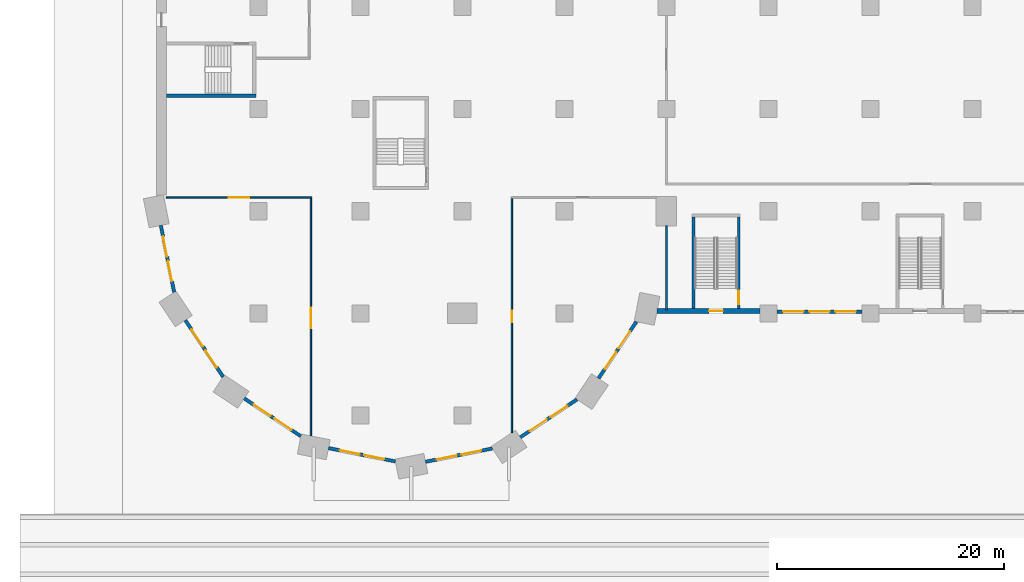
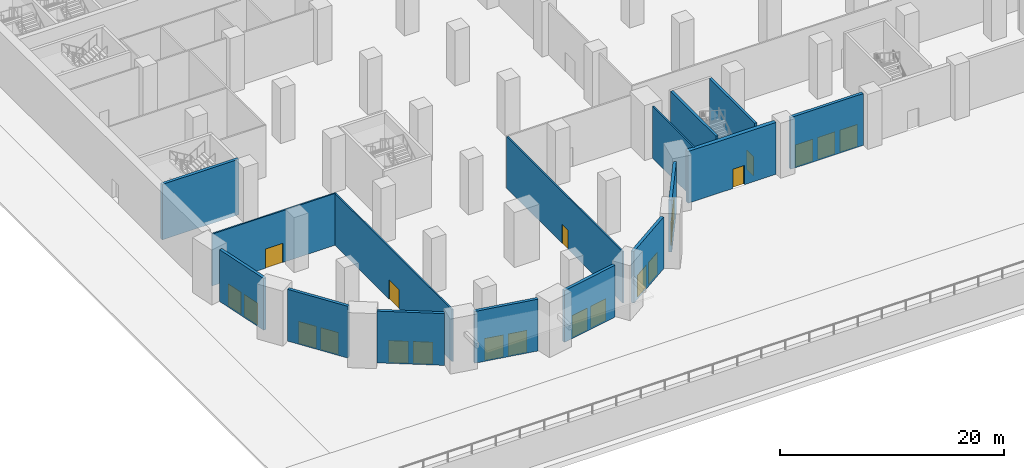
# One storey, part 13 of 47: 22 doors, 16 walls, 22 openings.
"""IFC4 building model written with IfcOpenShell, lengths in metres."""

from ifc_helpers import new_model, si_unit, direction, frame, frame_2d, origin, place, context, subcontext, project, spatial, rectangle, extrude, material, layer, layer_set, type_object, element, fill, save


model = new_model("IFC4")

# Units and contexts
model_context = context("Model", 3, precision=1e-05, world=origin(), true_north=direction((0.0, 1.0)))
body_context = subcontext(model_context, "Body", "Model", "MODEL_VIEW")
ifc_project = project(units=[si_unit("LENGTHUNIT", "METRE"), si_unit("AREAUNIT", "SQUARE_METRE"), si_unit("VOLUMEUNIT", "CUBIC_METRE"), si_unit("PLANEANGLEUNIT", "RADIAN"), si_unit("MASSUNIT", "GRAM", prefix="KILO")], contexts=[model_context])

# Site, building, storey
site_placement = place(None, origin())
site = spatial("IfcSite", under=ifc_project, at=site_placement, CompositionType="ELEMENT")
building_placement = place(site_placement, origin())
building = spatial("IfcBuilding", under=site, at=building_placement, Name="Hunhe Ridgeline Campus", CompositionType="ELEMENT")
storey_placement = place(building_placement, origin())
storey = spatial("IfcBuildingStorey", under=building, at=storey_placement, Name="L00", CompositionType="ELEMENT", Elevation=0.0)

# Wall, opening, door
ifc_material_1 = material(Name="Plastered blockwork", Category="masonry")
ifc_layer_1 = layer(ifc_material_1, 0.14990234375)
ifc_layer_set_1 = layer_set([ifc_layer_1], Name="Blockwork partition 150")
wall_type_1 = type_object("IfcWallType", Name="Blockwork partition 150", PredefinedType="PARTITIONING", material=ifc_layer_set_1)
wall_1_placement = place(storey_placement, frame((0.89990234375, 28.199951171875, 0.0), z_axis=(0.0, 0.0, 1.0), x_axis=(1.0, 0.0, 0.0)))
wall_1 = element("IfcWall", 1, at=wall_1_placement, inside=storey, type_object=wall_type_1, Name="L00 partition", PredefinedType="PARTITIONING", context=body_context, shape_type="SweptSolid", body=[
    extrude(rectangle(XDim=12.81103515625, YDim=0.14990234375, at=frame_2d((6.405517578125, 0.0))), origin(), (0.0, 0.0, 1.0), 5.64990234375),
])
opening_1_placement = place(wall_1_placement, frame((5.5, 0.0, 0.0)))
opening_1 = element("IfcOpeningElement", 2, at=opening_1_placement, cuts=wall_1, Name="Opening PD142", PredefinedType="OPENING", context=body_context, shape_type="SweptSolid", body=[
    extrude(rectangle(XDim=1.800048828125, YDim=2.10009765625, at=frame_2d((0.89990234375, 1.050048828125))), frame((0.0, 0.074951171875, 0.0), z_axis=(0.0, -1.0, 0.0), x_axis=(1.0, 0.0, 0.0)), (0.0, 0.0, 1.0), 0.14990234375),
])
ifc_material_2 = material(Name="Timber", Category="wood")
door_type_1 = type_object("IfcDoorType", Name="Podium timber double door 1800x2100", OperationType="NOTDEFINED", PredefinedType="DOOR", material=ifc_material_2)
door_1_placement = place(opening_1_placement, origin())
door_1 = element("IfcDoor", 3, at=door_1_placement, inside=storey, type_object=door_type_1, Name="Student Cafe door", OperationType="DOUBLE_DOOR_SINGLE_SWING", OverallHeight=2.10009765625, OverallWidth=1.800048828125, PredefinedType="DOOR", context=body_context, shape_type="SweptSolid", body=[
    extrude(rectangle(XDim=1.800048828125, YDim=2.10009765625, at=frame_2d((0.89990234375, 1.050048828125))), frame((0.0, 0.02490234375, 0.0), z_axis=(0.0, -1.0, 0.0), x_axis=(1.0, 0.0, 0.0)), (0.0, 0.0, 1.0), 0.050048828125),
])
fill(opening_1, door_1)

wall_2_placement = place(storey_placement, frame((13.635986328125, 28.125, 0.0), z_axis=(0.0, 0.0, 1.0), x_axis=(0.0, -1.0, 0.0)))
wall_2 = element("IfcWall", 4, at=wall_2_placement, inside=storey, type_object=wall_type_1, Name="L00 partition", PredefinedType="PARTITIONING", context=body_context, shape_type="SweptSolid", body=[
    extrude(rectangle(XDim=20.944091796875, YDim=0.14990234375, at=frame_2d((10.47216796875, 0.0))), origin(), (0.0, 0.0, 1.0), 5.64990234375),
])
opening_2_placement = place(wall_2_placement, frame((9.644287109375, 0.0, 0.0)))
opening_2 = element("IfcOpeningElement", 5, at=opening_2_placement, cuts=wall_2, Name="Opening PD141", PredefinedType="OPENING", context=body_context, shape_type="SweptSolid", body=[
    extrude(rectangle(XDim=1.800048828125, YDim=2.10009765625, at=frame_2d((0.89990234375, 1.050048828125))), frame((0.0, 0.074951171875, 0.0), z_axis=(0.0, -1.0, 0.0), x_axis=(1.0, 0.0, 0.0)), (0.0, 0.0, 1.0), 0.14990234375),
])
door_2_placement = place(opening_2_placement, origin())
door_2 = element("IfcDoor", 6, at=door_2_placement, inside=storey, type_object=door_type_1, Name="Student Cafe door", OperationType="DOUBLE_DOOR_SINGLE_SWING", OverallHeight=2.10009765625, OverallWidth=1.800048828125, PredefinedType="DOOR", context=body_context, shape_type="SweptSolid", body=[
    extrude(rectangle(XDim=1.800048828125, YDim=2.10009765625, at=frame_2d((0.89990234375, 1.050048828125))), frame((0.0, 0.02490234375, 0.0), z_axis=(0.0, -1.0, 0.0), x_axis=(1.0, 0.0, 0.0)), (0.0, 0.0, 1.0), 0.050048828125),
])
fill(opening_2, door_2)

wall_3_placement = place(storey_placement, frame((31.364013671875, 7.464599609375, 0.0), z_axis=(0.0, 0.0, 1.0), x_axis=(0.0, 1.0, 0.0)))
wall_3 = element("IfcWall", 7, at=wall_3_placement, inside=storey, type_object=wall_type_1, Name="L00 partition", PredefinedType="PARTITIONING", context=body_context, shape_type="SweptSolid", body=[
    extrude(rectangle(XDim=20.660400390625, YDim=0.14990234375, at=frame_2d((10.330078125, 0.0))), origin(), (0.0, 0.0, 1.0), 5.64990234375),
])
opening_3_placement = place(wall_3_placement, frame((9.75, 0.0, 0.0)))
opening_3 = element("IfcOpeningElement", 8, at=opening_3_placement, cuts=wall_3, Name="Opening PD143", PredefinedType="OPENING", context=body_context, shape_type="SweptSolid", body=[
    extrude(rectangle(XDim=1.0, YDim=2.10009765625, at=frame_2d((0.5, 1.050048828125))), frame((0.0, 0.074951171875, 0.0), z_axis=(0.0, -1.0, 0.0), x_axis=(1.0, 0.0, 0.0)), (0.0, 0.0, 1.0), 0.14990234375),
])
door_type_2 = type_object("IfcDoorType", Name="Podium timber door 1000x2100", OperationType="NOTDEFINED", PredefinedType="DOOR", material=ifc_material_2)
door_3_placement = place(opening_3_placement, origin())
door_3 = element("IfcDoor", 9, at=door_3_placement, inside=storey, type_object=door_type_2, Name="Bookshop door", OperationType="SINGLE_SWING_LEFT", OverallHeight=2.10009765625, OverallWidth=1.0, PredefinedType="DOOR", context=body_context, shape_type="SweptSolid", body=[
    extrude(rectangle(XDim=1.0, YDim=2.10009765625, at=frame_2d((0.5, 1.050048828125))), frame((0.0, 0.02490234375, 0.0), z_axis=(0.0, -1.0, 0.0), x_axis=(1.0, 0.0, 0.0)), (0.0, 0.0, 1.0), 0.050048828125),
])
fill(opening_3, door_3)

# Wall
wall_4_placement = place(storey_placement, frame((45.0, 25.699951171875, 0.0), z_axis=(0.0, 0.0, 1.0), x_axis=(0.0, -1.0, 0.0)))
element("IfcWall", 10, at=wall_4_placement, inside=storey, type_object=wall_type_1, Name="L00 partition", PredefinedType="PARTITIONING", context=body_context, shape_type="SweptSolid", body=[
    extrude(rectangle(XDim=7.39990234375, YDim=0.14990234375, at=frame_2d((3.699951171875, 0.0))), origin(), (0.0, 0.0, 1.0), 5.64990234375),
])

# Wall, openings, doors
ifc_material_3 = material(Name="Concrete C40", Category="concrete")
ifc_layer_2 = layer(ifc_material_3, 0.300048828125)
ifc_layer_set_2 = layer_set([ifc_layer_2], Name="External concrete wall 300 C40")
wall_type_2 = type_object("IfcWallType", Name="External concrete wall 300 C40", PredefinedType="SOLIDWALL", material=ifc_layer_set_2)
wall_5_placement = place(storey_placement, frame((1.5732421875, 19.85986328125, 0.0), z_axis=(0.0, 0.0, 1.0), x_axis=(-0.195116062951, 0.980780159862, 0.0)))
wall_5 = element("IfcWall", 11, at=wall_5_placement, inside=storey, type_object=wall_type_2, Name="L00 entrance wall", PredefinedType="SOLIDWALL", context=body_context, shape_type="SweptSolid", body=[
    extrude(rectangle(XDim=6.009765625, YDim=0.300048828125, at=frame_2d((3.0048828125, 0.0))), origin(), (0.0, 0.0, 1.0), 5.64990234375),
])
opening_4_placement = place(wall_5_placement, frame((1.0048828125, 0.0, 0.0)))
opening_4 = element("IfcOpeningElement", 12, at=opening_4_placement, cuts=wall_5, Name="Opening XD4", PredefinedType="OPENING", context=body_context, shape_type="SweptSolid", body=[
    extrude(rectangle(XDim=1.800048828125, YDim=2.39990234375, at=frame_2d((0.89990234375, 1.199951171875))), frame((0.0, 0.14990234375, 0.0), z_axis=(0.0, -1.0, 0.0), x_axis=(1.0, 0.0, 0.0)), (0.0, 0.0, 1.0), 0.300048828125),
])
opening_5_placement = place(wall_5_placement, frame((3.204833984375, 0.0, 0.0)))
opening_5 = element("IfcOpeningElement", 13, at=opening_5_placement, cuts=wall_5, Name="Opening XD5", PredefinedType="OPENING", context=body_context, shape_type="SweptSolid", body=[
    extrude(rectangle(XDim=1.800048828125, YDim=2.39990234375, at=frame_2d((0.89990234375, 1.199951171875))), frame((0.0, 0.14990234375, 0.0), z_axis=(0.0, -1.0, 0.0), x_axis=(1.0, 0.0, 0.0)), (0.0, 0.0, 1.0), 0.300048828125),
])
ifc_material_4 = material(Name="Aluminium and glass", Category="aluminium")
door_type_3 = type_object("IfcDoorType", Name="Podium glazed entrance door 1800x2400", OperationType="NOTDEFINED", PredefinedType="DOOR", material=ifc_material_4)
door_4_placement = place(opening_4_placement, origin())
door_4 = element("IfcDoor", 14, at=door_4_placement, inside=storey, type_object=door_type_3, Name="Entrance door XD4", OperationType="DOUBLE_DOOR_SINGLE_SWING", OverallHeight=2.39990234375, OverallWidth=1.800048828125, PredefinedType="DOOR", context=body_context, shape_type="SweptSolid", body=[
    extrude(rectangle(XDim=1.800048828125, YDim=2.39990234375, at=frame_2d((0.89990234375, 1.199951171875))), frame((0.0, 0.02490234375, 0.0), z_axis=(0.0, -1.0, 0.0), x_axis=(1.0, 0.0, 0.0)), (0.0, 0.0, 1.0), 0.050048828125),
])
fill(opening_4, door_4)
door_5_placement = place(opening_5_placement, origin())
door_5 = element("IfcDoor", 15, at=door_5_placement, inside=storey, type_object=door_type_3, Name="Entrance door XD5", OperationType="DOUBLE_DOOR_SINGLE_SWING", OverallHeight=2.39990234375, OverallWidth=1.800048828125, PredefinedType="DOOR", context=body_context, shape_type="SweptSolid", body=[
    extrude(rectangle(XDim=1.800048828125, YDim=2.39990234375, at=frame_2d((0.89990234375, 1.199951171875))), frame((0.0, 0.02490234375, 0.0), z_axis=(0.0, -1.0, 0.0), x_axis=(1.0, 0.0, 0.0)), (0.0, 0.0, 1.0), 0.050048828125),
])
fill(opening_5, door_5)

wall_6_placement = place(storey_placement, frame((5.898681640625, 12.39501953125, 0.0), z_axis=(0.0, 0.0, 1.0), x_axis=(-0.555562359202, 0.831474873365, 0.0)))
wall_6 = element("IfcWall", 16, at=wall_6_placement, inside=storey, type_object=wall_type_2, Name="L00 entrance wall", PredefinedType="SOLIDWALL", context=body_context, shape_type="SweptSolid", body=[
    extrude(rectangle(XDim=6.009765625, YDim=0.300048828125, at=frame_2d((3.0048828125, 0.0))), origin(), (0.0, 0.0, 1.0), 5.64990234375),
])
opening_6_placement = place(wall_6_placement, frame((1.0048828125, 0.0, 0.0)))
opening_6 = element("IfcOpeningElement", 17, at=opening_6_placement, cuts=wall_6, Name="Opening XD6", PredefinedType="OPENING", context=body_context, shape_type="SweptSolid", body=[
    extrude(rectangle(XDim=1.800048828125, YDim=2.39990234375, at=frame_2d((0.89990234375, 1.199951171875))), frame((0.0, 0.14990234375, 0.0), z_axis=(0.0, -1.0, 0.0), x_axis=(1.0, 0.0, 0.0)), (0.0, 0.0, 1.0), 0.300048828125),
])
opening_7_placement = place(wall_6_placement, frame((3.204833984375, 0.0, 0.0)))
opening_7 = element("IfcOpeningElement", 18, at=opening_7_placement, cuts=wall_6, Name="Opening XD7", PredefinedType="OPENING", context=body_context, shape_type="SweptSolid", body=[
    extrude(rectangle(XDim=1.800048828125, YDim=2.39990234375, at=frame_2d((0.89990234375, 1.199951171875))), frame((0.0, 0.14990234375, 0.0), z_axis=(0.0, -1.0, 0.0), x_axis=(1.0, 0.0, 0.0)), (0.0, 0.0, 1.0), 0.300048828125),
])
door_6_placement = place(opening_6_placement, origin())
door_6 = element("IfcDoor", 19, at=door_6_placement, inside=storey, type_object=door_type_3, Name="Entrance door XD6", OperationType="DOUBLE_DOOR_SINGLE_SWING", OverallHeight=2.39990234375, OverallWidth=1.800048828125, PredefinedType="DOOR", context=body_context, shape_type="SweptSolid", body=[
    extrude(rectangle(XDim=1.800048828125, YDim=2.39990234375, at=frame_2d((0.89990234375, 1.199951171875))), frame((0.0, 0.02490234375, 0.0), z_axis=(0.0, -1.0, 0.0), x_axis=(1.0, 0.0, 0.0)), (0.0, 0.0, 1.0), 0.050048828125),
])
fill(opening_6, door_6)
door_7_placement = place(opening_7_placement, origin())
door_7 = element("IfcDoor", 20, at=door_7_placement, inside=storey, type_object=door_type_3, Name="Entrance door XD7", OperationType="DOUBLE_DOOR_SINGLE_SWING", OverallHeight=2.39990234375, OverallWidth=1.800048828125, PredefinedType="DOOR", context=body_context, shape_type="SweptSolid", body=[
    extrude(rectangle(XDim=1.800048828125, YDim=2.39990234375, at=frame_2d((0.89990234375, 1.199951171875))), frame((0.0, 0.02490234375, 0.0), z_axis=(0.0, -1.0, 0.0), x_axis=(1.0, 0.0, 0.0)), (0.0, 0.0, 1.0), 0.050048828125),
])
fill(opening_7, door_7)

wall_7_placement = place(storey_placement, frame((12.751220703125, 7.15380859375, 0.0), z_axis=(0.0, 0.0, 1.0), x_axis=(-0.83146233441, 0.555581125001, 0.0)))
wall_7 = element("IfcWall", 21, at=wall_7_placement, inside=storey, type_object=wall_type_2, Name="L00 entrance wall", PredefinedType="SOLIDWALL", context=body_context, shape_type="SweptSolid", body=[
    extrude(rectangle(XDim=6.009765625, YDim=0.300048828125, at=frame_2d((3.0048828125, 0.0))), origin(), (0.0, 0.0, 1.0), 5.64990234375),
])
opening_8_placement = place(wall_7_placement, frame((1.0048828125, 0.0, 0.0)))
opening_8 = element("IfcOpeningElement", 22, at=opening_8_placement, cuts=wall_7, Name="Opening XD8", PredefinedType="OPENING", context=body_context, shape_type="SweptSolid", body=[
    extrude(rectangle(XDim=1.800048828125, YDim=2.39990234375, at=frame_2d((0.89990234375, 1.199951171875))), frame((0.0, 0.14990234375, 0.0), z_axis=(0.0, -1.0, 0.0), x_axis=(1.0, 0.0, 0.0)), (0.0, 0.0, 1.0), 0.300048828125),
])
opening_9_placement = place(wall_7_placement, frame((3.204833984375, 0.0, 0.0)))
opening_9 = element("IfcOpeningElement", 23, at=opening_9_placement, cuts=wall_7, Name="Opening XD9", PredefinedType="OPENING", context=body_context, shape_type="SweptSolid", body=[
    extrude(rectangle(XDim=1.800048828125, YDim=2.39990234375, at=frame_2d((0.89990234375, 1.199951171875))), frame((0.0, 0.14990234375, 0.0), z_axis=(0.0, -1.0, 0.0), x_axis=(1.0, 0.0, 0.0)), (0.0, 0.0, 1.0), 0.300048828125),
])
door_8_placement = place(opening_8_placement, origin())
door_8 = element("IfcDoor", 24, at=door_8_placement, inside=storey, type_object=door_type_3, Name="Entrance door XD8", OperationType="DOUBLE_DOOR_SINGLE_SWING", OverallHeight=2.39990234375, OverallWidth=1.800048828125, PredefinedType="DOOR", context=body_context, shape_type="SweptSolid", body=[
    extrude(rectangle(XDim=1.800048828125, YDim=2.39990234375, at=frame_2d((0.89990234375, 1.199951171875))), frame((0.0, 0.02490234375, 0.0), z_axis=(0.0, -1.0, 0.0), x_axis=(1.0, 0.0, 0.0)), (0.0, 0.0, 1.0), 0.050048828125),
])
fill(opening_8, door_8)
door_9_placement = place(opening_9_placement, origin())
door_9 = element("IfcDoor", 25, at=door_9_placement, inside=storey, type_object=door_type_3, Name="Entrance door XD9", OperationType="DOUBLE_DOOR_SINGLE_SWING", OverallHeight=2.39990234375, OverallWidth=1.800048828125, PredefinedType="DOOR", context=body_context, shape_type="SweptSolid", body=[
    extrude(rectangle(XDim=1.800048828125, YDim=2.39990234375, at=frame_2d((0.89990234375, 1.199951171875))), frame((0.0, 0.02490234375, 0.0), z_axis=(0.0, -1.0, 0.0), x_axis=(1.0, 0.0, 0.0)), (0.0, 0.0, 1.0), 0.050048828125),
])
fill(opening_9, door_9)

wall_8_placement = place(storey_placement, frame((21.08837890625, 4.933837890625, 0.0), z_axis=(0.0, 0.0, 1.0), x_axis=(-0.980789479015, 0.195069212982, 0.0)))
wall_8 = element("IfcWall", 26, at=wall_8_placement, inside=storey, type_object=wall_type_2, Name="L00 entrance wall", PredefinedType="SOLIDWALL", context=body_context, shape_type="SweptSolid", body=[
    extrude(rectangle(XDim=6.010009765625, YDim=0.300048828125, at=frame_2d((3.0048828125, 0.0))), origin(), (0.0, 0.0, 1.0), 5.64990234375),
])
opening_10_placement = place(wall_8_placement, frame((1.0048828125, 0.0, 0.0)))
opening_10 = element("IfcOpeningElement", 27, at=opening_10_placement, cuts=wall_8, Name="Opening XD10", PredefinedType="OPENING", context=body_context, shape_type="SweptSolid", body=[
    extrude(rectangle(XDim=1.800048828125, YDim=2.39990234375, at=frame_2d((0.89990234375, 1.199951171875))), frame((0.0, 0.14990234375, 0.0), z_axis=(0.0, -1.0, 0.0), x_axis=(1.0, 0.0, 0.0)), (0.0, 0.0, 1.0), 0.300048828125),
])
opening_11_placement = place(wall_8_placement, frame((3.204833984375, 0.0, 0.0)))
opening_11 = element("IfcOpeningElement", 28, at=opening_11_placement, cuts=wall_8, Name="Opening XD11", PredefinedType="OPENING", context=body_context, shape_type="SweptSolid", body=[
    extrude(rectangle(XDim=1.800048828125, YDim=2.39990234375, at=frame_2d((0.89990234375, 1.199951171875))), frame((0.0, 0.14990234375, 0.0), z_axis=(0.0, -1.0, 0.0), x_axis=(1.0, 0.0, 0.0)), (0.0, 0.0, 1.0), 0.300048828125),
])
door_10_placement = place(opening_10_placement, origin())
door_10 = element("IfcDoor", 29, at=door_10_placement, inside=storey, type_object=door_type_3, Name="Entrance door XD10", OperationType="DOUBLE_DOOR_SINGLE_SWING", OverallHeight=2.39990234375, OverallWidth=1.800048828125, PredefinedType="DOOR", context=body_context, shape_type="SweptSolid", body=[
    extrude(rectangle(XDim=1.800048828125, YDim=2.39990234375, at=frame_2d((0.89990234375, 1.199951171875))), frame((0.0, 0.02490234375, 0.0), z_axis=(0.0, -1.0, 0.0), x_axis=(1.0, 0.0, 0.0)), (0.0, 0.0, 1.0), 0.050048828125),
])
fill(opening_10, door_10)
door_11_placement = place(opening_11_placement, origin())
door_11 = element("IfcDoor", 30, at=door_11_placement, inside=storey, type_object=door_type_3, Name="Entrance door XD11", OperationType="DOUBLE_DOOR_SINGLE_SWING", OverallHeight=2.39990234375, OverallWidth=1.800048828125, PredefinedType="DOOR", context=body_context, shape_type="SweptSolid", body=[
    extrude(rectangle(XDim=1.800048828125, YDim=2.39990234375, at=frame_2d((0.89990234375, 1.199951171875))), frame((0.0, 0.02490234375, 0.0), z_axis=(0.0, -1.0, 0.0), x_axis=(1.0, 0.0, 0.0)), (0.0, 0.0, 1.0), 0.050048828125),
])
fill(opening_11, door_11)

wall_9_placement = place(storey_placement, frame((29.64013671875, 6.0732421875, 0.0), z_axis=(0.0, 0.0, 1.0), x_axis=(-0.980780159862, -0.195116062951, 0.0)))
wall_9 = element("IfcWall", 31, at=wall_9_placement, inside=storey, type_object=wall_type_2, Name="L00 entrance wall", PredefinedType="SOLIDWALL", context=body_context, shape_type="SweptSolid", body=[
    extrude(rectangle(XDim=6.009765625, YDim=0.300048828125, at=frame_2d((3.0048828125, 0.0))), origin(), (0.0, 0.0, 1.0), 5.64990234375),
])
opening_12_placement = place(wall_9_placement, frame((1.0048828125, 0.0, 0.0)))
opening_12 = element("IfcOpeningElement", 32, at=opening_12_placement, cuts=wall_9, Name="Opening XD12", PredefinedType="OPENING", context=body_context, shape_type="SweptSolid", body=[
    extrude(rectangle(XDim=1.800048828125, YDim=2.39990234375, at=frame_2d((0.89990234375, 1.199951171875))), frame((0.0, 0.14990234375, 0.0), z_axis=(0.0, -1.0, 0.0), x_axis=(1.0, 0.0, 0.0)), (0.0, 0.0, 1.0), 0.300048828125),
])
opening_13_placement = place(wall_9_placement, frame((3.204833984375, 0.0, 0.0)))
opening_13 = element("IfcOpeningElement", 33, at=opening_13_placement, cuts=wall_9, Name="Opening XD13", PredefinedType="OPENING", context=body_context, shape_type="SweptSolid", body=[
    extrude(rectangle(XDim=1.800048828125, YDim=2.39990234375, at=frame_2d((0.89990234375, 1.199951171875))), frame((0.0, 0.14990234375, 0.0), z_axis=(0.0, -1.0, 0.0), x_axis=(1.0, 0.0, 0.0)), (0.0, 0.0, 1.0), 0.300048828125),
])
door_12_placement = place(opening_12_placement, origin())
door_12 = element("IfcDoor", 34, at=door_12_placement, inside=storey, type_object=door_type_3, Name="Entrance door XD12", OperationType="DOUBLE_DOOR_SINGLE_SWING", OverallHeight=2.39990234375, OverallWidth=1.800048828125, PredefinedType="DOOR", context=body_context, shape_type="SweptSolid", body=[
    extrude(rectangle(XDim=1.800048828125, YDim=2.39990234375, at=frame_2d((0.89990234375, 1.199951171875))), frame((0.0, 0.02490234375, 0.0), z_axis=(0.0, -1.0, 0.0), x_axis=(1.0, 0.0, 0.0)), (0.0, 0.0, 1.0), 0.050048828125),
])
fill(opening_12, door_12)
door_13_placement = place(opening_13_placement, origin())
door_13 = element("IfcDoor", 35, at=door_13_placement, inside=storey, type_object=door_type_3, Name="Entrance door XD13", OperationType="DOUBLE_DOOR_SINGLE_SWING", OverallHeight=2.39990234375, OverallWidth=1.800048828125, PredefinedType="DOOR", context=body_context, shape_type="SweptSolid", body=[
    extrude(rectangle(XDim=1.800048828125, YDim=2.39990234375, at=frame_2d((0.89990234375, 1.199951171875))), frame((0.0, 0.02490234375, 0.0), z_axis=(0.0, -1.0, 0.0), x_axis=(1.0, 0.0, 0.0)), (0.0, 0.0, 1.0), 0.050048828125),
])
fill(opening_13, door_13)

wall_10_placement = place(storey_placement, frame((37.10498046875, 10.398681640625, 0.0), z_axis=(0.0, 0.0, 1.0), x_axis=(-0.831474873365, -0.555562359202, 0.0)))
wall_10 = element("IfcWall", 36, at=wall_10_placement, inside=storey, type_object=wall_type_2, Name="L00 entrance wall", PredefinedType="SOLIDWALL", context=body_context, shape_type="SweptSolid", body=[
    extrude(rectangle(XDim=6.009765625, YDim=0.300048828125, at=frame_2d((3.0048828125, 0.0))), origin(), (0.0, 0.0, 1.0), 5.64990234375),
])
opening_14_placement = place(wall_10_placement, frame((1.0048828125, 0.0, 0.0)))
opening_14 = element("IfcOpeningElement", 37, at=opening_14_placement, cuts=wall_10, Name="Opening XD14", PredefinedType="OPENING", context=body_context, shape_type="SweptSolid", body=[
    extrude(rectangle(XDim=1.800048828125, YDim=2.39990234375, at=frame_2d((0.89990234375, 1.199951171875))), frame((0.0, 0.14990234375, 0.0), z_axis=(0.0, -1.0, 0.0), x_axis=(1.0, 0.0, 0.0)), (0.0, 0.0, 1.0), 0.300048828125),
])
opening_15_placement = place(wall_10_placement, frame((3.204833984375, 0.0, 0.0)))
opening_15 = element("IfcOpeningElement", 38, at=opening_15_placement, cuts=wall_10, Name="Opening XD15", PredefinedType="OPENING", context=body_context, shape_type="SweptSolid", body=[
    extrude(rectangle(XDim=1.800048828125, YDim=2.39990234375, at=frame_2d((0.89990234375, 1.199951171875))), frame((0.0, 0.14990234375, 0.0), z_axis=(0.0, -1.0, 0.0), x_axis=(1.0, 0.0, 0.0)), (0.0, 0.0, 1.0), 0.300048828125),
])
door_14_placement = place(opening_14_placement, origin())
door_14 = element("IfcDoor", 39, at=door_14_placement, inside=storey, type_object=door_type_3, Name="Entrance door XD14", OperationType="DOUBLE_DOOR_SINGLE_SWING", OverallHeight=2.39990234375, OverallWidth=1.800048828125, PredefinedType="DOOR", context=body_context, shape_type="SweptSolid", body=[
    extrude(rectangle(XDim=1.800048828125, YDim=2.39990234375, at=frame_2d((0.89990234375, 1.199951171875))), frame((0.0, 0.02490234375, 0.0), z_axis=(0.0, -1.0, 0.0), x_axis=(1.0, 0.0, 0.0)), (0.0, 0.0, 1.0), 0.050048828125),
])
fill(opening_14, door_14)
door_15_placement = place(opening_15_placement, origin())
door_15 = element("IfcDoor", 40, at=door_15_placement, inside=storey, type_object=door_type_3, Name="Entrance door XD15", OperationType="DOUBLE_DOOR_SINGLE_SWING", OverallHeight=2.39990234375, OverallWidth=1.800048828125, PredefinedType="DOOR", context=body_context, shape_type="SweptSolid", body=[
    extrude(rectangle(XDim=1.800048828125, YDim=2.39990234375, at=frame_2d((0.89990234375, 1.199951171875))), frame((0.0, 0.02490234375, 0.0), z_axis=(0.0, -1.0, 0.0), x_axis=(1.0, 0.0, 0.0)), (0.0, 0.0, 1.0), 0.050048828125),
])
fill(opening_15, door_15)

wall_11_placement = place(storey_placement, frame((42.34619140625, 17.251220703125, 0.0), z_axis=(0.0, 0.0, 1.0), x_axis=(-0.555581125001, -0.83146233441, 0.0)))
wall_11 = element("IfcWall", 41, at=wall_11_placement, inside=storey, type_object=wall_type_2, Name="L00 entrance wall", PredefinedType="SOLIDWALL", context=body_context, shape_type="SweptSolid", body=[
    extrude(rectangle(XDim=6.009765625, YDim=0.300048828125, at=frame_2d((3.0048828125, 0.0))), origin(), (0.0, 0.0, 1.0), 5.64990234375),
])
opening_16_placement = place(wall_11_placement, frame((1.0048828125, 0.0, 0.0)))
opening_16 = element("IfcOpeningElement", 42, at=opening_16_placement, cuts=wall_11, Name="Opening XD16", PredefinedType="OPENING", context=body_context, shape_type="SweptSolid", body=[
    extrude(rectangle(XDim=1.800048828125, YDim=2.39990234375, at=frame_2d((0.89990234375, 1.199951171875))), frame((0.0, 0.14990234375, 0.0), z_axis=(0.0, -1.0, 0.0), x_axis=(1.0, 0.0, 0.0)), (0.0, 0.0, 1.0), 0.300048828125),
])
opening_17_placement = place(wall_11_placement, frame((3.204833984375, 0.0, 0.0)))
opening_17 = element("IfcOpeningElement", 43, at=opening_17_placement, cuts=wall_11, Name="Opening XD17", PredefinedType="OPENING", context=body_context, shape_type="SweptSolid", body=[
    extrude(rectangle(XDim=1.800048828125, YDim=2.39990234375, at=frame_2d((0.89990234375, 1.199951171875))), frame((0.0, 0.14990234375, 0.0), z_axis=(0.0, -1.0, 0.0), x_axis=(1.0, 0.0, 0.0)), (0.0, 0.0, 1.0), 0.300048828125),
])
door_16_placement = place(opening_16_placement, origin())
door_16 = element("IfcDoor", 44, at=door_16_placement, inside=storey, type_object=door_type_3, Name="Entrance door XD16", OperationType="DOUBLE_DOOR_SINGLE_SWING", OverallHeight=2.39990234375, OverallWidth=1.800048828125, PredefinedType="DOOR", context=body_context, shape_type="SweptSolid", body=[
    extrude(rectangle(XDim=1.800048828125, YDim=2.39990234375, at=frame_2d((0.89990234375, 1.199951171875))), frame((0.0, 0.02490234375, 0.0), z_axis=(0.0, -1.0, 0.0), x_axis=(1.0, 0.0, 0.0)), (0.0, 0.0, 1.0), 0.050048828125),
])
fill(opening_16, door_16)
door_17_placement = place(opening_17_placement, origin())
door_17 = element("IfcDoor", 45, at=door_17_placement, inside=storey, type_object=door_type_3, Name="Entrance door XD17", OperationType="DOUBLE_DOOR_SINGLE_SWING", OverallHeight=2.39990234375, OverallWidth=1.800048828125, PredefinedType="DOOR", context=body_context, shape_type="SweptSolid", body=[
    extrude(rectangle(XDim=1.800048828125, YDim=2.39990234375, at=frame_2d((0.89990234375, 1.199951171875))), frame((0.0, 0.02490234375, 0.0), z_axis=(0.0, -1.0, 0.0), x_axis=(1.0, 0.0, 0.0)), (0.0, 0.0, 1.0), 0.050048828125),
])
fill(opening_17, door_17)

wall_12_placement = place(storey_placement, frame((62.25, 18.14990234375, 0.0), z_axis=(0.0, 0.0, 1.0), x_axis=(-1.0, 0.0, 0.0)))
wall_12 = element("IfcWall", 46, at=wall_12_placement, inside=storey, type_object=wall_type_2, Name="L00 entrance wall", PredefinedType="SOLIDWALL", context=body_context, shape_type="SweptSolid", body=[
    extrude(rectangle(XDim=7.5, YDim=0.300048828125, at=frame_2d((3.75, 0.0))), origin(), (0.0, 0.0, 1.0), 5.64990234375),
])
opening_18_placement = place(wall_12_placement, frame((0.550048828125, 0.0, 0.0)))
opening_18 = element("IfcOpeningElement", 47, at=opening_18_placement, cuts=wall_12, Name="Opening XD19", PredefinedType="OPENING", context=body_context, shape_type="SweptSolid", body=[
    extrude(rectangle(XDim=1.800048828125, YDim=2.39990234375, at=frame_2d((0.89990234375, 1.199951171875))), frame((0.0, 0.14990234375, 0.0), z_axis=(0.0, -1.0, 0.0), x_axis=(1.0, 0.0, 0.0)), (0.0, 0.0, 1.0), 0.300048828125),
])
opening_19_placement = place(wall_12_placement, frame((2.85009765625, 0.0, 0.0)))
opening_19 = element("IfcOpeningElement", 48, at=opening_19_placement, cuts=wall_12, Name="Opening XD20", PredefinedType="OPENING", context=body_context, shape_type="SweptSolid", body=[
    extrude(rectangle(XDim=1.800048828125, YDim=2.39990234375, at=frame_2d((0.89990234375, 1.199951171875))), frame((0.0, 0.14990234375, 0.0), z_axis=(0.0, -1.0, 0.0), x_axis=(1.0, 0.0, 0.0)), (0.0, 0.0, 1.0), 0.300048828125),
])
opening_20_placement = place(wall_12_placement, frame((5.14990234375, 0.0, 0.0)))
opening_20 = element("IfcOpeningElement", 49, at=opening_20_placement, cuts=wall_12, Name="Opening XD21", PredefinedType="OPENING", context=body_context, shape_type="SweptSolid", body=[
    extrude(rectangle(XDim=1.800048828125, YDim=2.39990234375, at=frame_2d((0.89990234375, 1.199951171875))), frame((0.0, 0.14990234375, 0.0), z_axis=(0.0, -1.0, 0.0), x_axis=(1.0, 0.0, 0.0)), (0.0, 0.0, 1.0), 0.300048828125),
])
door_18_placement = place(opening_18_placement, origin())
door_18 = element("IfcDoor", 50, at=door_18_placement, inside=storey, type_object=door_type_3, Name="Entrance door XD19", OperationType="DOUBLE_DOOR_SINGLE_SWING", OverallHeight=2.39990234375, OverallWidth=1.800048828125, PredefinedType="DOOR", context=body_context, shape_type="SweptSolid", body=[
    extrude(rectangle(XDim=1.800048828125, YDim=2.39990234375, at=frame_2d((0.89990234375, 1.199951171875))), frame((0.0, 0.02490234375, 0.0), z_axis=(0.0, -1.0, 0.0), x_axis=(1.0, 0.0, 0.0)), (0.0, 0.0, 1.0), 0.050048828125),
])
fill(opening_18, door_18)
door_19_placement = place(opening_19_placement, origin())
door_19 = element("IfcDoor", 51, at=door_19_placement, inside=storey, type_object=door_type_3, Name="Entrance door XD20", OperationType="DOUBLE_DOOR_SINGLE_SWING", OverallHeight=2.39990234375, OverallWidth=1.800048828125, PredefinedType="DOOR", context=body_context, shape_type="SweptSolid", body=[
    extrude(rectangle(XDim=1.800048828125, YDim=2.39990234375, at=frame_2d((0.89990234375, 1.199951171875))), frame((0.0, 0.02490234375, 0.0), z_axis=(0.0, -1.0, 0.0), x_axis=(1.0, 0.0, 0.0)), (0.0, 0.0, 1.0), 0.050048828125),
])
fill(opening_19, door_19)
door_20_placement = place(opening_20_placement, origin())
door_20 = element("IfcDoor", 52, at=door_20_placement, inside=storey, type_object=door_type_3, Name="Entrance door XD21", OperationType="DOUBLE_DOOR_SINGLE_SWING", OverallHeight=2.39990234375, OverallWidth=1.800048828125, PredefinedType="DOOR", context=body_context, shape_type="SweptSolid", body=[
    extrude(rectangle(XDim=1.800048828125, YDim=2.39990234375, at=frame_2d((0.89990234375, 1.199951171875))), frame((0.0, 0.02490234375, 0.0), z_axis=(0.0, -1.0, 0.0), x_axis=(1.0, 0.0, 0.0)), (0.0, 0.0, 1.0), 0.050048828125),
])
fill(opening_20, door_20)

# Wall, opening, door
ifc_layer_3 = layer(ifc_material_3, 0.39990234375)
ifc_layer_set_3 = layer_set([ifc_layer_3], Name="Stair shaft facade wall 400 C40")
wall_type_3 = type_object("IfcWallType", Name="Stair shaft facade wall 400 C40", PredefinedType="SOLIDWALL", material=ifc_layer_set_3)
wall_13_placement = place(storey_placement, frame((53.25, 18.199951171875, 0.0), z_axis=(0.0, 0.0, 1.0), x_axis=(-1.0, 0.0, 0.0)))
wall_13 = element("IfcWall", 53, at=wall_13_placement, inside=storey, type_object=wall_type_3, Name="L00 stair facade wall", PredefinedType="SOLIDWALL", context=body_context, shape_type="SweptSolid", body=[
    extrude(rectangle(XDim=9.0927734375, YDim=0.39990234375, at=frame_2d((4.54638671875, 0.0))), origin(), (0.0, 0.0, 1.0), 5.64990234375),
])
opening_21_placement = place(wall_13_placement, frame((3.27490234375, 0.0, 0.0)))
opening_21 = element("IfcOpeningElement", 54, at=opening_21_placement, cuts=wall_13, Name="Opening XD18", PredefinedType="OPENING", context=body_context, shape_type="SweptSolid", body=[
    extrude(rectangle(XDim=1.199951171875, YDim=2.10009765625, at=frame_2d((0.60009765625, 1.050048828125))), frame((0.0, 0.199951171875, 0.0), z_axis=(0.0, -1.0, 0.0), x_axis=(1.0, 0.0, 0.0)), (0.0, 0.0, 1.0), 0.39990234375),
])
ifc_material_5 = material(Name="Steel Q235", Category="steel")
door_type_4 = type_object("IfcDoorType", Name="Podium fire door 1200x2100 FD60", OperationType="NOTDEFINED", PredefinedType="DOOR", material=ifc_material_5)
door_21_placement = place(opening_21_placement, origin())
door_21 = element("IfcDoor", 55, at=door_21_placement, inside=storey, type_object=door_type_4, Name="Exit door XD18 PS1", OperationType="SINGLE_SWING_LEFT", OverallHeight=2.10009765625, OverallWidth=1.199951171875, PredefinedType="DOOR", context=body_context, shape_type="SweptSolid", body=[
    extrude(rectangle(XDim=1.199951171875, YDim=2.10009765625, at=frame_2d((0.60009765625, 1.050048828125))), frame((0.0, 0.02490234375, 0.0), z_axis=(0.0, -1.0, 0.0), x_axis=(1.0, 0.0, 0.0)), (0.0, 0.0, 1.0), 0.050048828125),
])
fill(opening_21, door_21)

# Wall
ifc_layer_4 = layer(ifc_material_3, 0.25)
ifc_layer_set_4 = layer_set([ifc_layer_4], Name="Stair shaft wall 250 C40")
wall_type_4 = type_object("IfcWallType", Name="Stair shaft wall 250 C40", PredefinedType="SOLIDWALL", material=ifc_layer_set_4)
wall_14_placement = place(storey_placement, frame((47.375, 18.39990234375, 0.0), z_axis=(0.0, 0.0, 1.0), x_axis=(0.0, 1.0, 0.0)))
element("IfcWall", 56, at=wall_14_placement, inside=storey, type_object=wall_type_4, Name="L00 PS1 shaft wall", PredefinedType="SOLIDWALL", context=body_context, shape_type="SweptSolid", body=[
    extrude(rectangle(XDim=8.10009765625, YDim=0.25, at=frame_2d((4.050048828125, 0.0))), origin(), (0.0, 0.0, 1.0), 6.0),
])

# Wall, opening, door
wall_15_placement = place(storey_placement, frame((51.375, 26.5, 0.0), z_axis=(0.0, 0.0, 1.0), x_axis=(0.0, -1.0, 0.0)))
wall_15 = element("IfcWall", 57, at=wall_15_placement, inside=storey, type_object=wall_type_4, Name="L00 PS1 shaft wall", PredefinedType="SOLIDWALL", context=body_context, shape_type="SweptSolid", body=[
    extrude(rectangle(XDim=8.10009765625, YDim=0.25, at=frame_2d((4.050048828125, 0.0))), origin(), (0.0, 0.0, 1.0), 6.0),
])
opening_22_placement = place(wall_15_placement, frame((6.5, 0.0, 0.0)))
opening_22 = element("IfcOpeningElement", 58, at=opening_22_placement, cuts=wall_15, Name="Opening PD101", PredefinedType="OPENING", context=body_context, shape_type="SweptSolid", body=[
    extrude(rectangle(XDim=1.199951171875, YDim=2.10009765625, at=frame_2d((0.60009765625, 1.050048828125))), frame((0.0, 0.125, 0.0), z_axis=(0.0, -1.0, 0.0), x_axis=(1.0, 0.0, 0.0)), (0.0, 0.0, 1.0), 0.25),
])
door_22_placement = place(opening_22_placement, origin())
door_22 = element("IfcDoor", 59, at=door_22_placement, inside=storey, type_object=door_type_4, Name="Stair door PS1", OperationType="SINGLE_SWING_LEFT", OverallHeight=2.10009765625, OverallWidth=1.199951171875, PredefinedType="DOOR", context=body_context, shape_type="SweptSolid", body=[
    extrude(rectangle(XDim=1.199951171875, YDim=2.10009765625, at=frame_2d((0.60009765625, 1.050048828125))), frame((0.0, 0.02490234375, 0.0), z_axis=(0.0, -1.0, 0.0), x_axis=(1.0, 0.0, 0.0)), (0.0, 0.0, 1.0), 0.050048828125),
])
fill(opening_22, door_22)

# Wall
ifc_material_6 = material(Name="Concrete C80", Category="concrete")
ifc_layer_5 = layer(ifc_material_6, 0.300048828125)
ifc_layer_set_5 = layer_set([ifc_layer_5], Name="Stair wall 300 reinforced concrete C80")
wall_type_5 = type_object("IfcWallType", Name="Stair wall 300 reinforced concrete C80", PredefinedType="SOLIDWALL", material=ifc_layer_set_5)
wall_16_placement = place(storey_placement, frame((0.89990234375, 37.199951171875, -0.39990234375), z_axis=(0.0, 0.0, 1.0), x_axis=(1.0, 0.0, 0.0)))
element("IfcWall", 60, at=wall_16_placement, inside=storey, type_object=wall_type_5, Name="L00 core wall 3", PredefinedType="SOLIDWALL", context=body_context, shape_type="SweptSolid", body=[
    extrude(rectangle(XDim=7.900146484375, YDim=0.300048828125, at=frame_2d((3.9501953125, 0.0))), origin(), (0.0, 0.0, 1.0), 6.0498046875),
])

save(model, "model.ifc")
